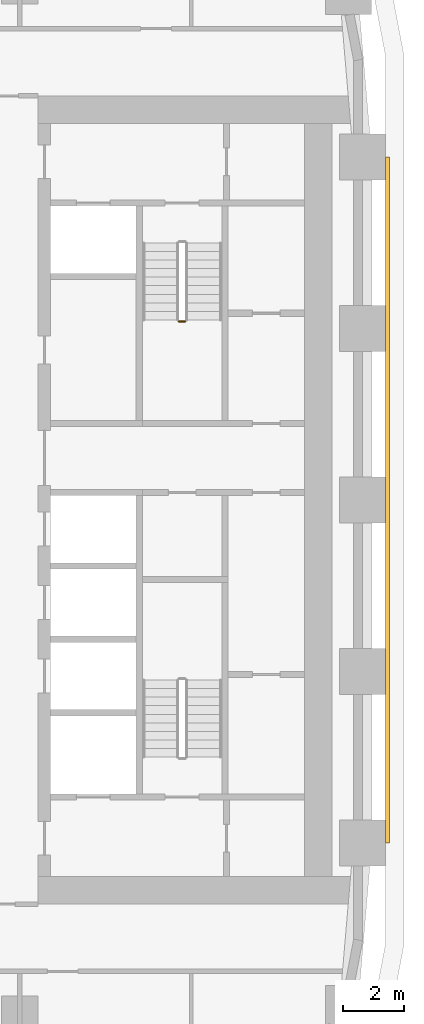
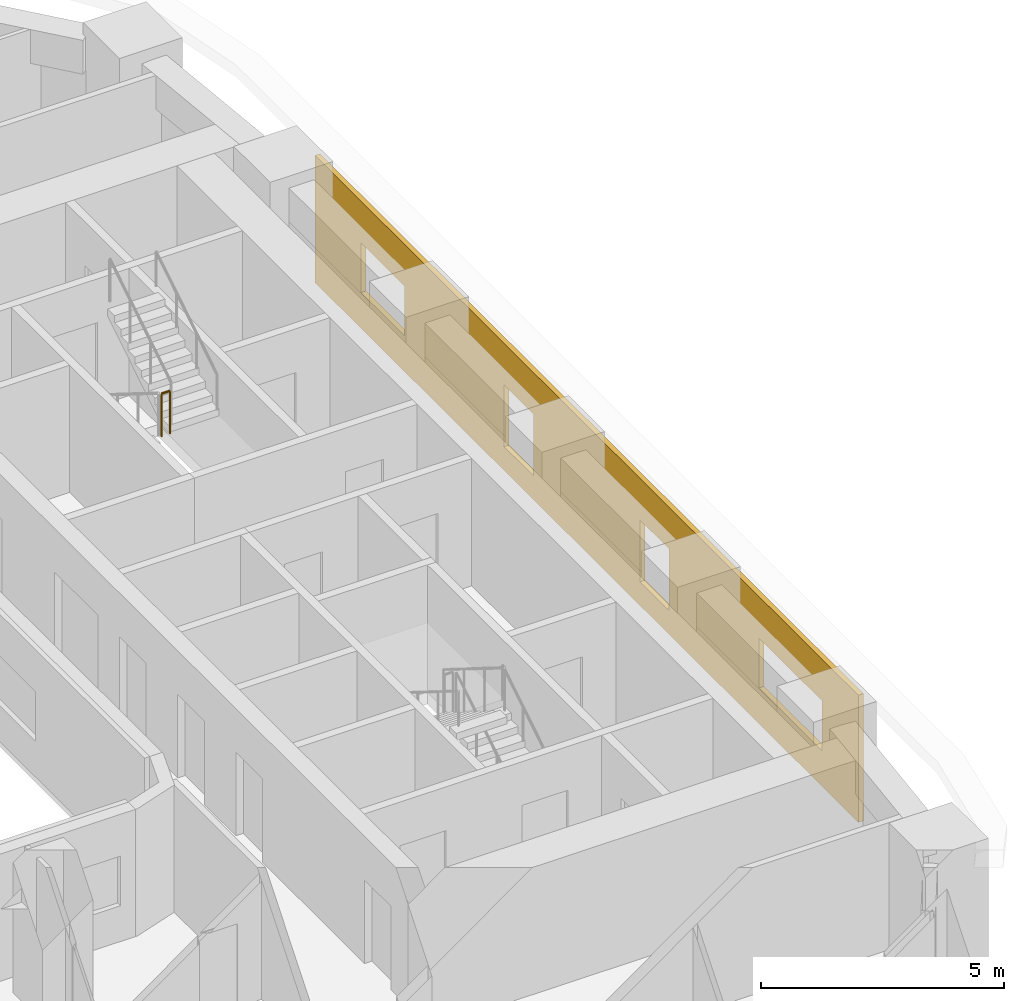
# One storey, part 18 of 21: 1 covering, 1 railing.
"""IFC4 building model written with IfcOpenShell, lengths in metres."""

from ifc_helpers import new_model, si_unit, direction, frame, origin, origin_2d, place, context, subcontext, project, spatial, polyline, circle, outline, extrude, material, layer, layer_set, type_object, element, save


model = new_model("IFC4")

# Units and contexts
model_context = context("Model", 3, precision=1e-05, world=origin(), true_north=direction((0.0, 1.0)))
body_context = subcontext(model_context, "Body", "Model", "MODEL_VIEW")
ifc_project = project(units=[si_unit("LENGTHUNIT", "METRE"), si_unit("AREAUNIT", "SQUARE_METRE"), si_unit("VOLUMEUNIT", "CUBIC_METRE"), si_unit("PLANEANGLEUNIT", "RADIAN"), si_unit("MASSUNIT", "GRAM", prefix="KILO")], contexts=[model_context])

# Site, building, storey
site_placement = place(None, origin())
site = spatial("IfcSite", under=ifc_project, at=site_placement, CompositionType="ELEMENT")
building_placement = place(site_placement, origin())
building = spatial("IfcBuilding", under=site, at=building_placement, Name="Kiln Ring Residences", CompositionType="ELEMENT")
storey_placement = place(building_placement, frame((0.0, 0.0, 51.5)))
storey = spatial("IfcBuildingStorey", under=building, at=storey_placement, Name="L12", CompositionType="ELEMENT", Elevation=51.5)

# Railing
ifc_material_1 = material(Name="Stainless steel", Category="steel")
railing_type = type_object("IfcRailingType", Name="CORE-STAIR-GUARD", PredefinedType="GUARDRAIL", material=ifc_material_1)
railing_placement = place(storey_placement, frame((22.0, 5.830078125, 1.75)))
element("IfcRailing", 1, at=railing_placement, inside=storey, type_object=railing_type, Name="L12 E-STN stair guard 2", PredefinedType="GUARDRAIL", context=body_context, shape_type="SweptSolid", body=[
    extrude(circle(Radius=0.02392578125, at=origin_2d()), frame((0.0, 0.0, 1.076171875), z_axis=(1.0, 0.0, 0.0), x_axis=(0.0, 1.0, 0.0)), (0.0, 0.0, 1.0), 0.199951171875),
    extrude(circle(Radius=0.02099609375, at=origin_2d()), origin(), (0.0, 0.0, 1.0), 1.052001953125),
    extrude(circle(Radius=0.02099609375, at=origin_2d()), frame((0.199951171875, 0.0, 0.0)), (0.0, 0.0, 1.0), 1.052001953125),
])

# Covering
ifc_material_2 = material(Name="Brick masonry, dark clay brick", Category="masonry")
ifc_layer = layer(ifc_material_2, 0.1201171875)
ifc_layer_set = layer_set([ifc_layer], Name="RAINSCREEN PANEL 120")
covering_type = type_object("IfcCoveringType", Name="RAINSCREEN PANEL 120", PredefinedType="CLADDING", material=ifc_layer_set)
covering_placement = place(storey_placement, frame((28.81005859375, -11.199951171875, 0.0), z_axis=(0.0, 0.0, 1.0), x_axis=(0.0, 1.0, 0.0)))
element("IfcCovering", 2, at=covering_placement, inside=storey, type_object=covering_type, Name="RAINSCREEN L12", PredefinedType="CLADDING", context=body_context, shape_type="SweptSolid", body=[
    extrude(outline(polyline([(0.0, 0.0), (22.39990234375, 0.0), (22.39990234375, 3.199951171875), (0.0, 3.199951171875), (0.0, 0.0)]), holes=[polyline([(9.0, 0.60009765625), (9.0, 2.14990234375), (7.800048828125, 2.14990234375), (7.800048828125, 0.60009765625), (9.0, 0.60009765625)]), polyline([(14.60009765625, 0.60009765625), (14.60009765625, 2.14990234375), (13.39990234375, 2.14990234375), (13.39990234375, 0.60009765625), (14.60009765625, 0.60009765625)]), polyline([(4.10009765625, 0.89990234375), (4.10009765625, 2.14990234375), (1.5, 2.14990234375), (1.5, 0.89990234375), (4.10009765625, 0.89990234375)]), polyline([(20.5, 0.89990234375), (20.5, 2.14990234375), (18.699951171875, 2.14990234375), (18.699951171875, 0.89990234375), (20.5, 0.89990234375)])]), frame((0.0, 0.06005859375, 0.0), z_axis=(0.0, -1.0, 0.0), x_axis=(1.0, 0.0, 0.0)), (0.0, 0.0, 1.0), 0.1201171875),
])

save(model, "model.ifc")
